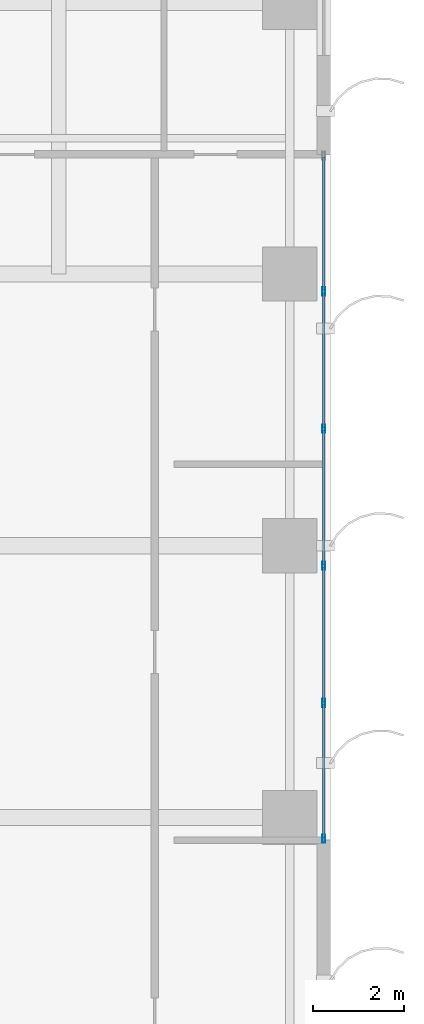
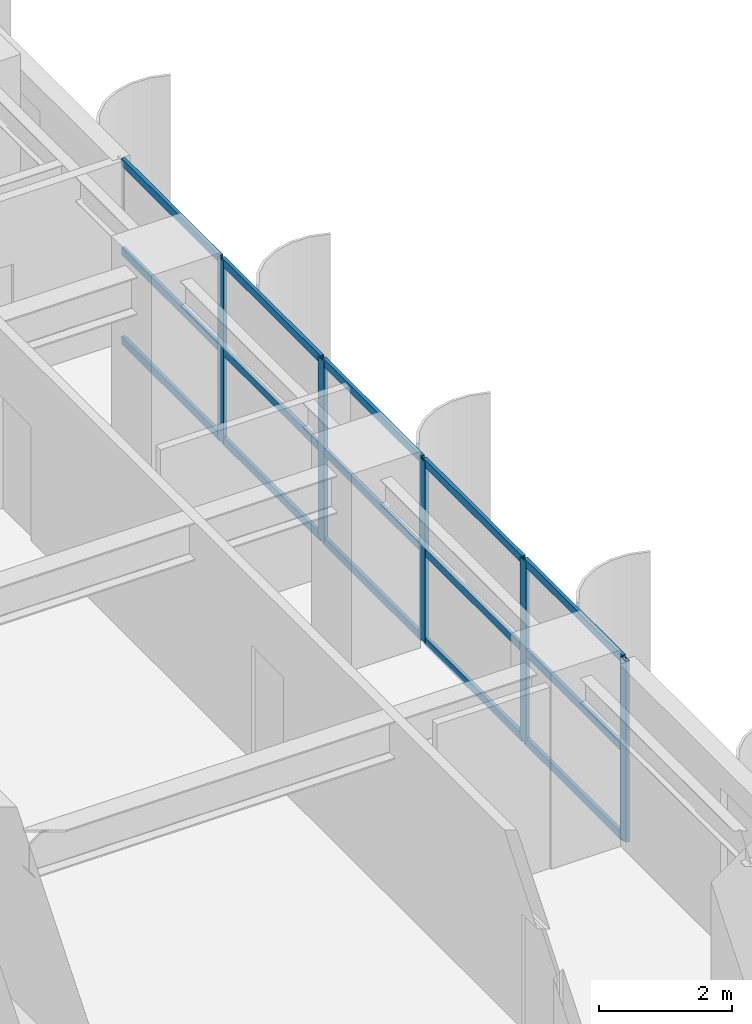
# One storey, part 11 of 25: 20 members, 1 element without a shape of its own.
"""IFC4 building model written with IfcOpenShell, lengths in metres."""

from ifc_helpers import new_model, si_unit, direction, frame, origin, origin_2d, place, context, subcontext, project, spatial, hollow_rectangle, extrude, source, transform, mapped, material, layer, layer_set, material_profile, profile_set, type_object, element, aggregate, save


model = new_model("IFC4")

# Units and contexts
model_context = context("Model", 3, precision=1e-05, world=origin(), true_north=direction((0.0, 1.0)))
body_context = subcontext(model_context, "Body", "Model", "MODEL_VIEW")
ifc_project = project(units=[si_unit("LENGTHUNIT", "METRE"), si_unit("AREAUNIT", "SQUARE_METRE"), si_unit("VOLUMEUNIT", "CUBIC_METRE"), si_unit("PLANEANGLEUNIT", "RADIAN"), si_unit("MASSUNIT", "GRAM", prefix="KILO")], contexts=[model_context])

# Site, building, storey
site_placement = place(None, origin())
site = spatial("IfcSite", under=ifc_project, at=site_placement, CompositionType="ELEMENT")
building_placement = place(site_placement, origin())
building = spatial("IfcBuilding", under=site, at=building_placement, Name="Khoralis Quay Care Tower", CompositionType="ELEMENT")
storey_placement = place(building_placement, frame((0.0, 0.0, 51.300048828125)))
storey = spatial("IfcBuildingStorey", under=building, at=storey_placement, Name="L13", CompositionType="ELEMENT", Elevation=51.300048828125)

# Curtain wall, members
ifc_material = material(Name="Pale anodised aluminium", Category="aluminium")
ifc_layer = layer(ifc_material, 0.179931640625)
ifc_layer_set = layer_set([ifc_layer], Name="Pale anodised aluminium")
curtain_wall_type = type_object("IfcCurtainWallType", Name="CW-SYS-Z1", PredefinedType="NOTDEFINED", material=ifc_layer_set)
curtain_wall_placement = place(storey_placement, origin())
curtain_wall = element("IfcCurtainWall", 1, at=curtain_wall_placement, inside=storey, type_object=curtain_wall_type, Name="L13 Unitised Curtain Wall CW-L13-P1-E5", PredefinedType="NOTDEFINED")
ifc_material_profile_1 = material_profile(ifc_material, hollow_rectangle(XDim=0.06494140625, YDim=0.179931640625, WallThickness=0.00390625, at=origin_2d()), Name="Pale anodised aluminium")
ifc_profile_set_1 = profile_set([ifc_material_profile_1], Name="Pale anodised aluminium")
member_type_1 = type_object("IfcMemberType", Name="CW-MUL-180", PredefinedType="MULLION", material=ifc_profile_set_1)
shared_shape_1 = source(origin(), body_context, "Body", "SweptSolid", [
    extrude(hollow_rectangle(XDim=0.06494140625, YDim=0.179931640625, WallThickness=0.00390625, at=origin_2d()), origin(), (0.0, 0.0, 1.0), 3.320068359375),
])
member_1_placement = place(storey_placement, frame((47.85009765625, 17.530029296875, 0.0), z_axis=(0.0, 0.0, 1.0), x_axis=(-1.0, 0.0, 0.0)))
member_1 = element("IfcMember", 2, at=member_1_placement, type_object=member_type_1, Name="CW1 mullion 1", PredefinedType="MULLION", context=body_context, shape_type="MappedRepresentation", body=[
    mapped(shared_shape_1, transform((0.0, 0.0, 0.0), scale=1.0)),
])
member_2_placement = place(storey_placement, frame((47.85009765625, 20.528076171875, 0.0), z_axis=(0.0, 0.0, 1.0), x_axis=(-1.0, 0.0, 0.0)))
member_2 = element("IfcMember", 3, at=member_2_placement, type_object=member_type_1, Name="CW1 mullion 2", PredefinedType="MULLION", context=body_context, shape_type="MappedRepresentation", body=[
    mapped(shared_shape_1, transform((0.0, 0.0, 0.0), scale=1.0)),
])
member_3_placement = place(storey_placement, frame((47.85009765625, 23.555908203125, 0.0), z_axis=(0.0, 0.0, 1.0), x_axis=(-1.0, 0.0, 0.0)))
member_3 = element("IfcMember", 4, at=member_3_placement, type_object=member_type_1, Name="CW1 mullion 3", PredefinedType="MULLION", context=body_context, shape_type="MappedRepresentation", body=[
    mapped(shared_shape_1, transform((0.0, 0.0, 0.0), scale=1.0)),
])
member_4_placement = place(storey_placement, frame((47.85009765625, 26.583984375, 0.0), z_axis=(0.0, 0.0, 1.0), x_axis=(-1.0, 0.0, 0.0)))
member_4 = element("IfcMember", 5, at=member_4_placement, type_object=member_type_1, Name="CW1 mullion 4", PredefinedType="MULLION", context=body_context, shape_type="MappedRepresentation", body=[
    mapped(shared_shape_1, transform((0.0, 0.0, 0.0), scale=1.0)),
])
member_5_placement = place(storey_placement, frame((47.85009765625, 29.612060546875, 0.0), z_axis=(0.0, 0.0, 1.0), x_axis=(-1.0, 0.0, 0.0)))
member_5 = element("IfcMember", 6, at=member_5_placement, type_object=member_type_1, Name="CW1 mullion 5", PredefinedType="MULLION", context=body_context, shape_type="MappedRepresentation", body=[
    mapped(shared_shape_1, transform((0.0, 0.0, 0.0), scale=1.0)),
])
ifc_material_profile_2 = material_profile(ifc_material, hollow_rectangle(XDim=0.06005859375, YDim=0.139892578125, WallThickness=0.00390625, at=origin_2d()), Name="Pale anodised aluminium")
ifc_profile_set_2 = profile_set([ifc_material_profile_2], Name="Pale anodised aluminium")
member_type_2 = type_object("IfcMemberType", Name="CW-TRN-140", PredefinedType="USERDEFINED", material=ifc_profile_set_2)
shared_shape_2 = source(origin(), body_context, "Body", "SweptSolid", [
    extrude(hollow_rectangle(XDim=0.06005859375, YDim=0.139892578125, WallThickness=0.00390625, at=origin_2d()), origin(), (0.0, 0.0, 1.0), 2.93798828125),
])
member_6_placement = place(storey_placement, frame((47.85009765625, 17.56005859375, 0.030029296875), z_axis=(0.0, 1.0, 0.0), x_axis=(-1.0, 0.0, 0.0)))
member_6 = element("IfcMember", 7, at=member_6_placement, type_object=member_type_2, Name="CW1 transom 1.1", ObjectType="TRANSOM", PredefinedType="USERDEFINED", context=body_context, shape_type="MappedRepresentation", body=[
    mapped(shared_shape_2, transform((0.0, 0.0, 0.0), scale=1.0)),
])
member_7_placement = place(storey_placement, frame((47.85009765625, 17.56005859375, 1.659912109375), z_axis=(0.0, 1.0, 0.0), x_axis=(-1.0, 0.0, 0.0)))
member_7 = element("IfcMember", 8, at=member_7_placement, type_object=member_type_2, Name="CW1 transom 1.2", ObjectType="TRANSOM", PredefinedType="USERDEFINED", context=body_context, shape_type="MappedRepresentation", body=[
    mapped(shared_shape_2, transform((0.0, 0.0, 0.0), scale=1.0)),
])
member_8_placement = place(storey_placement, frame((47.85009765625, 17.56005859375, 3.2900390625), z_axis=(0.0, 1.0, 0.0), x_axis=(-1.0, 0.0, 0.0)))
member_8 = element("IfcMember", 9, at=member_8_placement, type_object=member_type_2, Name="CW1 transom 1.3", ObjectType="TRANSOM", PredefinedType="USERDEFINED", context=body_context, shape_type="MappedRepresentation", body=[
    mapped(shared_shape_2, transform((0.0, 0.0, 0.0), scale=1.0)),
])
member_9_placement = place(storey_placement, frame((47.85009765625, 29.64208984375, 0.030029296875), z_axis=(0.0, 1.0, 0.0), x_axis=(-1.0, 0.0, 0.0)))
member_9 = element("IfcMember", 10, at=member_9_placement, type_object=member_type_2, Name="CW1 transom 5.1", ObjectType="TRANSOM", PredefinedType="USERDEFINED", context=body_context, shape_type="MappedRepresentation", body=[
    mapped(shared_shape_2, transform((0.0, 0.0, 0.0), scale=1.0)),
])
member_10_placement = place(storey_placement, frame((47.85009765625, 29.64208984375, 1.659912109375), z_axis=(0.0, 1.0, 0.0), x_axis=(-1.0, 0.0, 0.0)))
member_10 = element("IfcMember", 11, at=member_10_placement, type_object=member_type_2, Name="CW1 transom 5.2", ObjectType="TRANSOM", PredefinedType="USERDEFINED", context=body_context, shape_type="MappedRepresentation", body=[
    mapped(shared_shape_2, transform((0.0, 0.0, 0.0), scale=1.0)),
])
member_11_placement = place(storey_placement, frame((47.85009765625, 29.64208984375, 3.2900390625), z_axis=(0.0, 1.0, 0.0), x_axis=(-1.0, 0.0, 0.0)))
member_11 = element("IfcMember", 12, at=member_11_placement, type_object=member_type_2, Name="CW1 transom 5.3", ObjectType="TRANSOM", PredefinedType="USERDEFINED", context=body_context, shape_type="MappedRepresentation", body=[
    mapped(shared_shape_2, transform((0.0, 0.0, 0.0), scale=1.0)),
])
shared_shape_3 = source(origin(), body_context, "Body", "SweptSolid", [
    extrude(hollow_rectangle(XDim=0.06005859375, YDim=0.139892578125, WallThickness=0.00390625, at=origin_2d()), origin(), (0.0, 0.0, 1.0), 2.9677734375),
])
member_12_placement = place(storey_placement, frame((47.85009765625, 20.55810546875, 0.030029296875), z_axis=(0.0, 1.0, 0.0), x_axis=(-1.0, 0.0, 0.0)))
member_12 = element("IfcMember", 13, at=member_12_placement, type_object=member_type_2, Name="CW1 transom 2.1", ObjectType="TRANSOM", PredefinedType="USERDEFINED", context=body_context, shape_type="MappedRepresentation", body=[
    mapped(shared_shape_3, transform((0.0, 0.0, 0.0), scale=1.0)),
])
member_13_placement = place(storey_placement, frame((47.85009765625, 20.55810546875, 1.659912109375), z_axis=(0.0, 1.0, 0.0), x_axis=(-1.0, 0.0, 0.0)))
member_13 = element("IfcMember", 14, at=member_13_placement, type_object=member_type_2, Name="CW1 transom 2.2", ObjectType="TRANSOM", PredefinedType="USERDEFINED", context=body_context, shape_type="MappedRepresentation", body=[
    mapped(shared_shape_3, transform((0.0, 0.0, 0.0), scale=1.0)),
])
member_14_placement = place(storey_placement, frame((47.85009765625, 20.55810546875, 3.2900390625), z_axis=(0.0, 1.0, 0.0), x_axis=(-1.0, 0.0, 0.0)))
member_14 = element("IfcMember", 15, at=member_14_placement, type_object=member_type_2, Name="CW1 transom 2.3", ObjectType="TRANSOM", PredefinedType="USERDEFINED", context=body_context, shape_type="MappedRepresentation", body=[
    mapped(shared_shape_3, transform((0.0, 0.0, 0.0), scale=1.0)),
])
shared_shape_4 = source(origin(), body_context, "Body", "SweptSolid", [
    extrude(hollow_rectangle(XDim=0.06005859375, YDim=0.139892578125, WallThickness=0.00390625, at=origin_2d()), origin(), (0.0, 0.0, 1.0), 2.968017578125),
])
member_15_placement = place(storey_placement, frame((47.85009765625, 23.5859375, 0.030029296875), z_axis=(0.0, 1.0, 0.0), x_axis=(-1.0, 0.0, 0.0)))
member_15 = element("IfcMember", 16, at=member_15_placement, type_object=member_type_2, Name="CW1 transom 3.1", ObjectType="TRANSOM", PredefinedType="USERDEFINED", context=body_context, shape_type="MappedRepresentation", body=[
    mapped(shared_shape_4, transform((0.0, 0.0, 0.0), scale=1.0)),
])
member_16_placement = place(storey_placement, frame((47.85009765625, 23.5859375, 1.659912109375), z_axis=(0.0, 1.0, 0.0), x_axis=(-1.0, 0.0, 0.0)))
member_16 = element("IfcMember", 17, at=member_16_placement, type_object=member_type_2, Name="CW1 transom 3.2", ObjectType="TRANSOM", PredefinedType="USERDEFINED", context=body_context, shape_type="MappedRepresentation", body=[
    mapped(shared_shape_4, transform((0.0, 0.0, 0.0), scale=1.0)),
])
member_17_placement = place(storey_placement, frame((47.85009765625, 23.5859375, 3.2900390625), z_axis=(0.0, 1.0, 0.0), x_axis=(-1.0, 0.0, 0.0)))
member_17 = element("IfcMember", 18, at=member_17_placement, type_object=member_type_2, Name="CW1 transom 3.3", ObjectType="TRANSOM", PredefinedType="USERDEFINED", context=body_context, shape_type="MappedRepresentation", body=[
    mapped(shared_shape_4, transform((0.0, 0.0, 0.0), scale=1.0)),
])
member_18_placement = place(storey_placement, frame((47.85009765625, 26.614013671875, 0.030029296875), z_axis=(0.0, 1.0, 0.0), x_axis=(-1.0, 0.0, 0.0)))
member_18 = element("IfcMember", 19, at=member_18_placement, type_object=member_type_2, Name="CW1 transom 4.1", ObjectType="TRANSOM", PredefinedType="USERDEFINED", context=body_context, shape_type="MappedRepresentation", body=[
    mapped(shared_shape_4, transform((0.0, 0.0, 0.0), scale=1.0)),
])
member_19_placement = place(storey_placement, frame((47.85009765625, 26.614013671875, 1.659912109375), z_axis=(0.0, 1.0, 0.0), x_axis=(-1.0, 0.0, 0.0)))
member_19 = element("IfcMember", 20, at=member_19_placement, type_object=member_type_2, Name="CW1 transom 4.2", ObjectType="TRANSOM", PredefinedType="USERDEFINED", context=body_context, shape_type="MappedRepresentation", body=[
    mapped(shared_shape_4, transform((0.0, 0.0, 0.0), scale=1.0)),
])
member_20_placement = place(storey_placement, frame((47.85009765625, 26.614013671875, 3.2900390625), z_axis=(0.0, 1.0, 0.0), x_axis=(-1.0, 0.0, 0.0)))
member_20 = element("IfcMember", 21, at=member_20_placement, type_object=member_type_2, Name="CW1 transom 4.3", ObjectType="TRANSOM", PredefinedType="USERDEFINED", context=body_context, shape_type="MappedRepresentation", body=[
    mapped(shared_shape_4, transform((0.0, 0.0, 0.0), scale=1.0)),
])
aggregate(curtain_wall, [member_1, member_2, member_3, member_4, member_5, member_6, member_7, member_8, member_12, member_13, member_14, member_15, member_16, member_17, member_18, member_19, member_20, member_9, member_10, member_11])

save(model, "model.ifc")
